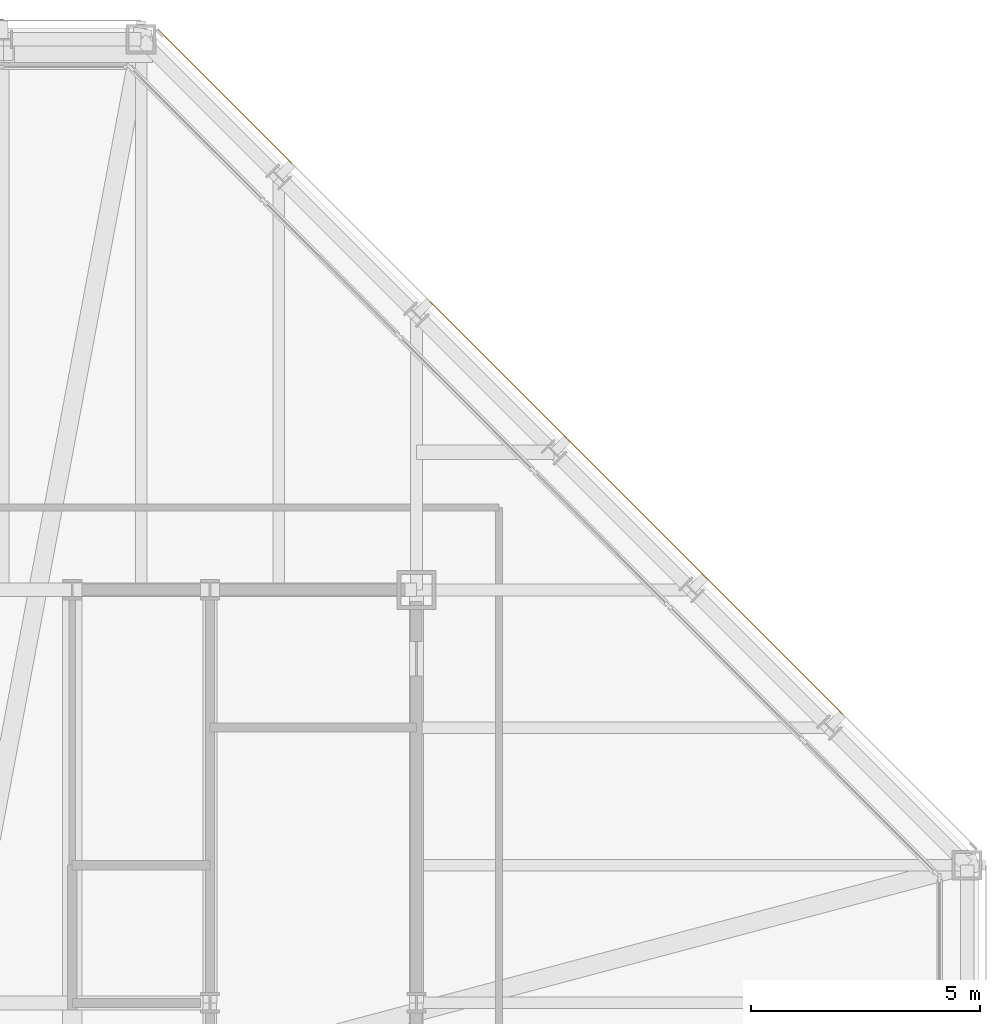
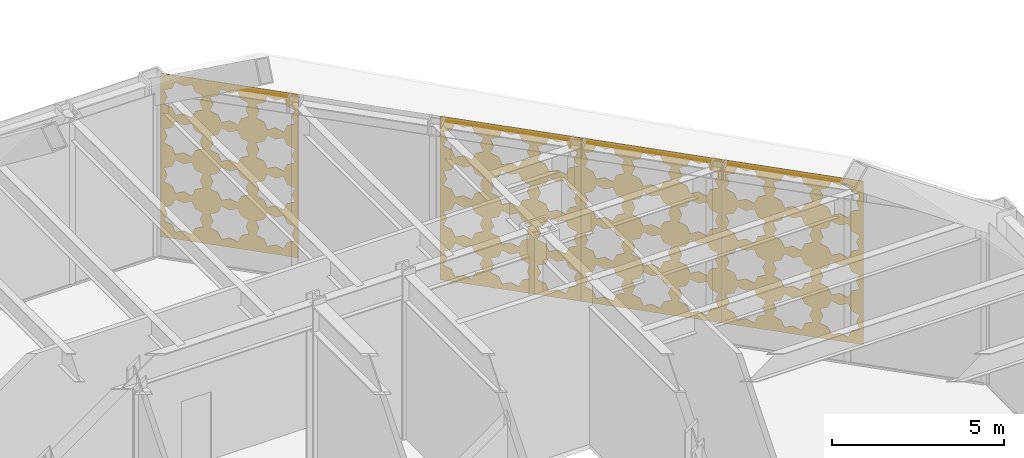
# One storey, part 29 of 30: 4 coverings.
"""IFC4 building model written with IfcOpenShell, lengths in metres."""

import ifcopenshell
import ifcopenshell.guid

model = None  # the IFC model being written
_history = None  # IfcOwnerHistory: only IFC2X3 demands one
_inside = {}  # id of a spatial element -> (the spatial element, [elements in it])
_under = {}  # id of a project, library or spatial element -> (it, [spatial elements below it])
_declared = {}  # id of a project -> (the project, [libraries it declares])
_typed = {}  # id of a type object -> (the type object, [elements of that type])
_made_of = {}  # id of a material, layer set ... -> (it, [elements and type objects made of it])


def new_model(schema):
    """Start an empty IFC model of exactly this schema.

    Asked for "IFC4X3", IfcOpenShell would pick the latest addendum, in which some entities
    have other attributes; the version numbers below select the first issue.
    IFC2X3 requires an IfcOwnerHistory on every rooted entity: one is made here for all.
    """
    global model, _history
    if schema == "IFC4X3":
        model = ifcopenshell.file(schema_version=(4, 3, 0, 0))
    else:
        model = ifcopenshell.file(schema=schema)
    _inside.clear()
    _under.clear()
    _declared.clear()
    _typed.clear()
    _made_of.clear()
    _history = None
    if model.schema == "IFC2X3":
        org = make("IfcOrganization", Name="unknown")
        user = make(
            "IfcPersonAndOrganization",
            ThePerson=make("IfcPerson", FamilyName="unknown"),
            TheOrganization=org,
        )
        app = make(
            "IfcApplication",
            ApplicationDeveloper=org,
            Version="unknown",
            ApplicationFullName="unknown",
            ApplicationIdentifier="unknown",
        )
        _history = make(
            "IfcOwnerHistory",
            OwningUser=user,
            OwningApplication=app,
            ChangeAction="ADDED",
            CreationDate=0,
        )
    return model


def make(cls, **values):
    """One entity of the class cls with the attributes given. An attribute that is None is left unset."""
    return model.create_entity(
        cls, **{name: value for name, value in values.items() if value is not None}
    )


def rooted(cls, **values):
    """An entity with a GlobalId (a new one), such as an element, a storey or a relation."""
    return make(cls, GlobalId=ifcopenshell.guid.new(), OwnerHistory=_history, **values)


def si_unit(unit_type, name, prefix=None):
    """IfcSIUnit, for example si_unit("LENGTHUNIT", "METRE", prefix="MILLI")."""
    return make("IfcSIUnit", UnitType=unit_type, Prefix=prefix, Name=name)


def assignment(units):
    """IfcUnitAssignment: the units of a project."""
    return None if units is None else make("IfcUnitAssignment", Units=units)


def point(xyz):
    """IfcCartesianPoint."""
    return None if xyz is None else make("IfcCartesianPoint", Coordinates=xyz)


def direction(xyz):
    """IfcDirection."""
    return None if xyz is None else make("IfcDirection", DirectionRatios=xyz)


def frame(location, z_axis=None, x_axis=None):
    """IfcAxis2Placement3D, a coordinate frame: its origin and axes. An axis left out is left unset."""
    return make(
        "IfcAxis2Placement3D",
        Location=point(location),
        Axis=direction(z_axis),
        RefDirection=direction(x_axis),
    )


def origin():
    """The frame at (0, 0, 0) with its axes left unset."""
    return frame((0.0, 0.0, 0.0))


def place(relative_to, where):
    """IfcLocalPlacement: puts the frame where relative to a parent placement (None: the world)."""
    return make(
        "IfcLocalPlacement", PlacementRelTo=relative_to, RelativePlacement=where
    )


def context(
    kind, dimensions, precision=None, world=None, true_north=None, identifier=None
):
    """IfcGeometricRepresentationContext, for example the 3D "Model" context."""
    return make(
        "IfcGeometricRepresentationContext",
        ContextIdentifier=identifier,
        ContextType=kind,
        CoordinateSpaceDimension=dimensions,
        Precision=precision,
        WorldCoordinateSystem=world,
        TrueNorth=true_north,
    )


def subcontext(parent, identifier, kind, view, scale=None):
    """IfcGeometricRepresentationSubContext, for example "Body" below "Model"."""
    return make(
        "IfcGeometricRepresentationSubContext",
        ContextIdentifier=identifier,
        ContextType=kind,
        ParentContext=parent,
        TargetScale=scale,
        TargetView=view,
    )


def project(units=None, contexts=None):
    """IfcProject with its units and contexts."""
    return rooted(
        "IfcProject",
        Name="project",
        RepresentationContexts=contexts,
        UnitsInContext=assignment(units),
    )


def spatial(cls, under=None, at=None, **own):
    """A site, building, storey or space (cls), placed at a placement, below another one or the project."""
    s = rooted(cls, ObjectPlacement=at, **own)
    if under is not None:
        _under.setdefault(under.id(), (under, []))[1].append(s)
    return s


def polyline(points):
    """IfcPolyline through the points."""
    return make("IfcPolyline", Points=[point(p) for p in points])


def outline(outer, holes=None, kind="AREA"):
    """IfcArbitraryClosedProfileDef: a profile drawn as a closed curve; with holes, ...WithVoids."""
    if holes is None:
        return make("IfcArbitraryClosedProfileDef", ProfileType=kind, OuterCurve=outer)
    return make(
        "IfcArbitraryProfileDefWithVoids",
        ProfileType=kind,
        OuterCurve=outer,
        InnerCurves=holes,
    )


def extrude(swept, where, along, depth):
    """IfcExtrudedAreaSolid: the profile swept, set in the frame where, extruded along a direction by depth."""
    return make(
        "IfcExtrudedAreaSolid",
        SweptArea=swept,
        Position=where,
        ExtrudedDirection=direction(along),
        Depth=depth,
    )


def shape(context_of_items, identifier, shape_type, items):
    """IfcShapeRepresentation: the items that make up one representation, for example the "Body"."""
    return make(
        "IfcShapeRepresentation",
        ContextOfItems=context_of_items,
        RepresentationIdentifier=identifier,
        RepresentationType=shape_type,
        Items=items,
    )


def material(Name=None, Category=None):
    """IfcMaterial."""
    return make("IfcMaterial", Name=Name, Category=Category)


def layer(
    of_material, thickness, ventilated=None, Name=None, Category=None, Priority=None
):
    """IfcMaterialLayer: one layer of a wall or slab, of a material (None: an air gap)."""
    return make(
        "IfcMaterialLayer",
        Material=of_material,
        LayerThickness=thickness,
        IsVentilated=ventilated,
        Name=Name,
        Category=Category,
        Priority=Priority,
    )


def layer_set(layers, Name=None):
    """IfcMaterialLayerSet."""
    return make("IfcMaterialLayerSet", MaterialLayers=layers, LayerSetName=Name)


def made_of(thing, what):
    """Note that an element or type object is made of a material, layer set ...; save() writes the relation."""
    if what is not None:
        _made_of.setdefault(what.id(), (what, []))[1].append(thing)
    return thing


def type_object(cls, material=None, **own):
    """A type object (cls), such as IfcWallType, which elements share."""
    return made_of(rooted(cls, **own), material)


def element(
    cls,
    number,
    at=None,
    inside=None,
    cuts=None,
    type_object=None,
    material=None,
    context=None,
    identifier="Body",
    shape_type=None,
    held_by="IfcProductDefinitionShape",
    body=None,
    shapes=None,
    **own,
):
    """One element of the class cls, such as IfcWall. Its Tag is "e" and its number.

    at: its placement. inside: the storey or other place that contains it. cuts: it is an
    opening in that element (IfcRelVoidsElement). A single representation is given by context,
    identifier, shape_type and body (its items); several are given by shapes. held_by: the class
    of the entity that holds the representations. save() writes the other relations.
    """
    e = rooted(cls, Tag="e%d" % number, ObjectPlacement=at, **own)
    if body is not None:
        shapes = [shape(context, identifier, shape_type, body)]
    if shapes is not None:
        e.Representation = make(held_by, Representations=shapes)
    if inside is not None:
        _inside.setdefault(inside.id(), (inside, []))[1].append(e)
    if cuts is not None:
        rooted(
            "IfcRelVoidsElement", RelatingBuildingElement=cuts, RelatedOpeningElement=e
        )
    if type_object is not None:
        _typed.setdefault(type_object.id(), (type_object, []))[1].append(e)
    return made_of(e, material)


def aggregate(whole, parts):
    """IfcRelAggregates: a whole, such as a stair, and the parts it consists of."""
    return rooted("IfcRelAggregates", RelatingObject=whole, RelatedObjects=parts)


def save(model, path):
    """Write the relations noted so far, then the file.

    IfcRelAggregates (storeys below a building ...), IfcRelContainedInSpatialStructure (elements
    in a storey), IfcRelDefinesByType, IfcRelAssociatesMaterial and IfcRelDeclares: one each for
    every whole, place, type object, material and project.
    """
    for whole, parts in _under.values():
        aggregate(whole, parts)
    for where, things in _inside.values():
        rooted(
            "IfcRelContainedInSpatialStructure",
            RelatedElements=things,
            RelatingStructure=where,
        )
    for kind, things in _typed.values():
        rooted("IfcRelDefinesByType", RelatedObjects=things, RelatingType=kind)
    for what, things in _made_of.values():
        rooted("IfcRelAssociatesMaterial", RelatedObjects=things, RelatingMaterial=what)
    for by, libraries in _declared.values():
        rooted("IfcRelDeclares", RelatingContext=by, RelatedDefinitions=libraries)
    model.write(path)


model = new_model("IFC4")

# Units and contexts
model_context = context("Model", 3, precision=1e-05, world=origin(), true_north=direction((0.0, 1.0)))
body_context = subcontext(model_context, "Body", "Model", "MODEL_VIEW")
ifc_project = project(units=[si_unit("LENGTHUNIT", "METRE"), si_unit("AREAUNIT", "SQUARE_METRE"), si_unit("VOLUMEUNIT", "CUBIC_METRE"), si_unit("PLANEANGLEUNIT", "RADIAN"), si_unit("MASSUNIT", "GRAM", prefix="KILO")], contexts=[model_context])

# Site, building, storey
site_placement = place(None, origin())
site = spatial("IfcSite", under=ifc_project, at=site_placement, CompositionType="ELEMENT")
building_placement = place(site_placement, origin())
building = spatial("IfcBuilding", under=site, at=building_placement, Name="Chuquiago Exchange Tower", CompositionType="ELEMENT")
storey_placement = place(building_placement, frame((0.0, 0.0, 306.0)))
storey = spatial("IfcBuildingStorey", under=building, at=storey_placement, Name="L68", CompositionType="ELEMENT", Elevation=306.0)

# Coverings
ifc_material_1 = material(Name="Anodised aluminium, pale", Category="aluminium")
ifc_layer_1 = layer(ifc_material_1, 0.02001953125)
ifc_layer_set_1 = layer_set([ifc_layer_1], Name="GC4 girih cladding panel 20")
covering_type_1 = type_object("IfcCoveringType", Name="GC4 girih cladding panel 20", PredefinedType="CLADDING", material=ifc_layer_set_1)
covering_1_placement = place(storey_placement, frame((42.279296875, 30.286376953125, 0.0048828125), z_axis=(0.0, 0.0, 1.0), x_axis=(-0.707106781187, 0.707106781187, 0.0)))
element("IfcCovering", 1, at=covering_1_placement, inside=storey, type_object=covering_type_1, Name="Girih cladding panel L68 NE 2", PredefinedType="CLADDING", context=body_context, shape_type="SweptSolid", body=[
    extrude(outline(polyline([(0.0, 0.0), (4.232666015625, 0.0), (4.232666015625, 5.795166015625), (0.0, 5.795166015625), (0.0, 0.0)]), holes=[polyline([(1.2021484375, 0.78125), (1.304931640625, 1.029541015625), (1.056640625, 1.132568359375), (0.953857421875, 1.380859375), (0.70556640625, 1.278076171875), (0.45703125, 1.380859375), (0.354248046875, 1.132568359375), (0.10595703125, 1.029541015625), (0.208740234375, 0.78125), (0.10595703125, 0.532958984375), (0.354248046875, 0.429931640625), (0.45703125, 0.181640625), (0.705322265625, 0.284423828125), (0.953857421875, 0.181640625), (1.056640625, 0.429931640625), (1.304931640625, 0.532958984375), (1.2021484375, 0.78125)]), polyline([(2.613037109375, 0.78125), (2.7158203125, 1.029541015625), (2.467529296875, 1.132568359375), (2.36474609375, 1.380859375), (2.116455078125, 1.278076171875), (1.867919921875, 1.380859375), (1.76513671875, 1.132568359375), (1.516845703125, 1.029541015625), (1.61962890625, 0.78125), (1.516845703125, 0.532958984375), (1.76513671875, 0.429931640625), (1.867919921875, 0.181640625), (2.116455078125, 0.284423828125), (2.36474609375, 0.181640625), (2.467529296875, 0.429931640625), (2.7158203125, 0.532958984375), (2.613037109375, 0.78125)]), polyline([(4.02392578125, 0.78125), (4.126708984375, 1.029541015625), (3.87841796875, 1.132568359375), (3.775634765625, 1.380859375), (3.527099609375, 1.278076171875), (3.27880859375, 1.380859375), (3.176025390625, 1.132568359375), (2.927734375, 1.029541015625), (3.030517578125, 0.78125), (2.927734375, 0.532958984375), (3.176025390625, 0.429931640625), (3.27880859375, 0.181640625), (3.527099609375, 0.284423828125), (3.775634765625, 0.181640625), (3.87841796875, 0.429931640625), (4.126708984375, 0.532958984375), (4.02392578125, 0.78125)]), polyline([(1.2021484375, 2.192138671875), (1.304931640625, 2.4404296875), (1.056640625, 2.54345703125), (0.953857421875, 2.791748046875), (0.70556640625, 2.68896484375), (0.45703125, 2.791748046875), (0.354248046875, 2.54345703125), (0.10595703125, 2.4404296875), (0.208740234375, 2.192138671875), (0.10595703125, 1.94384765625), (0.354248046875, 1.8408203125), (0.45703125, 1.592529296875), (0.705322265625, 1.6953125), (0.953857421875, 1.592529296875), (1.056640625, 1.8408203125), (1.304931640625, 1.94384765625), (1.2021484375, 2.192138671875)]), polyline([(2.613037109375, 2.192138671875), (2.7158203125, 2.4404296875), (2.467529296875, 2.54345703125), (2.36474609375, 2.791748046875), (2.116455078125, 2.68896484375), (1.867919921875, 2.791748046875), (1.76513671875, 2.54345703125), (1.516845703125, 2.4404296875), (1.61962890625, 2.192138671875), (1.516845703125, 1.94384765625), (1.76513671875, 1.8408203125), (1.867919921875, 1.592529296875), (2.116455078125, 1.6953125), (2.36474609375, 1.592529296875), (2.467529296875, 1.8408203125), (2.7158203125, 1.94384765625), (2.613037109375, 2.192138671875)]), polyline([(4.02392578125, 2.192138671875), (4.126708984375, 2.4404296875), (3.87841796875, 2.54345703125), (3.775634765625, 2.791748046875), (3.527099609375, 2.68896484375), (3.27880859375, 2.791748046875), (3.176025390625, 2.54345703125), (2.927734375, 2.4404296875), (3.030517578125, 2.192138671875), (2.927734375, 1.94384765625), (3.176025390625, 1.8408203125), (3.27880859375, 1.592529296875), (3.527099609375, 1.6953125), (3.775634765625, 1.592529296875), (3.87841796875, 1.8408203125), (4.126708984375, 1.94384765625), (4.02392578125, 2.192138671875)]), polyline([(1.2021484375, 3.60302734375), (1.304931640625, 3.851318359375), (1.056640625, 3.954345703125), (0.953857421875, 4.20263671875), (0.70556640625, 4.099853515625), (0.45703125, 4.20263671875), (0.354248046875, 3.954345703125), (0.10595703125, 3.851318359375), (0.208740234375, 3.60302734375), (0.10595703125, 3.354736328125), (0.354248046875, 3.251708984375), (0.45703125, 3.00341796875), (0.705322265625, 3.106201171875), (0.953857421875, 3.00341796875), (1.056640625, 3.251708984375), (1.304931640625, 3.354736328125), (1.2021484375, 3.60302734375)]), polyline([(2.613037109375, 3.60302734375), (2.7158203125, 3.851318359375), (2.467529296875, 3.954345703125), (2.36474609375, 4.20263671875), (2.116455078125, 4.099853515625), (1.867919921875, 4.20263671875), (1.76513671875, 3.954345703125), (1.516845703125, 3.851318359375), (1.61962890625, 3.60302734375), (1.516845703125, 3.354736328125), (1.76513671875, 3.251708984375), (1.867919921875, 3.00341796875), (2.116455078125, 3.106201171875), (2.36474609375, 3.00341796875), (2.467529296875, 3.251708984375), (2.7158203125, 3.354736328125), (2.613037109375, 3.60302734375)]), polyline([(4.02392578125, 3.60302734375), (4.126708984375, 3.851318359375), (3.87841796875, 3.954345703125), (3.775634765625, 4.20263671875), (3.527099609375, 4.099853515625), (3.27880859375, 4.20263671875), (3.176025390625, 3.954345703125), (2.927734375, 3.851318359375), (3.030517578125, 3.60302734375), (2.927734375, 3.354736328125), (3.176025390625, 3.251708984375), (3.27880859375, 3.00341796875), (3.527099609375, 3.106201171875), (3.775634765625, 3.00341796875), (3.87841796875, 3.251708984375), (4.126708984375, 3.354736328125), (4.02392578125, 3.60302734375)]), polyline([(1.2021484375, 5.013916015625), (1.304931640625, 5.26220703125), (1.056640625, 5.365234375), (0.953857421875, 5.613525390625), (0.70556640625, 5.5107421875), (0.45703125, 5.613525390625), (0.354248046875, 5.365234375), (0.10595703125, 5.26220703125), (0.208740234375, 5.013916015625), (0.10595703125, 4.765625), (0.354248046875, 4.66259765625), (0.45703125, 4.414306640625), (0.705322265625, 4.517333984375), (0.953857421875, 4.414306640625), (1.056640625, 4.66259765625), (1.304931640625, 4.765625), (1.2021484375, 5.013916015625)]), polyline([(2.613037109375, 5.013916015625), (2.7158203125, 5.26220703125), (2.467529296875, 5.365234375), (2.36474609375, 5.613525390625), (2.116455078125, 5.5107421875), (1.867919921875, 5.613525390625), (1.76513671875, 5.365234375), (1.516845703125, 5.26220703125), (1.61962890625, 5.013916015625), (1.516845703125, 4.765625), (1.76513671875, 4.66259765625), (1.867919921875, 4.414306640625), (2.116455078125, 4.517333984375), (2.36474609375, 4.414306640625), (2.467529296875, 4.66259765625), (2.7158203125, 4.765625), (2.613037109375, 5.013916015625)]), polyline([(4.02392578125, 5.013916015625), (4.126708984375, 5.26220703125), (3.87841796875, 5.365234375), (3.775634765625, 5.613525390625), (3.527099609375, 5.5107421875), (3.27880859375, 5.613525390625), (3.176025390625, 5.365234375), (2.927734375, 5.26220703125), (3.030517578125, 5.013916015625), (2.927734375, 4.765625), (3.176025390625, 4.66259765625), (3.27880859375, 4.414306640625), (3.527099609375, 4.517333984375), (3.775634765625, 4.414306640625), (3.87841796875, 4.66259765625), (4.126708984375, 4.765625), (4.02392578125, 5.013916015625)])]), frame((0.0, 0.0, 0.0), z_axis=(0.0, -1.0, 0.0), x_axis=(1.0, 0.0, 0.0)), (0.0, 0.0, 1.0), 0.02001953125),
])
covering_2_placement = place(storey_placement, frame((39.279296875, 33.286376953125, 0.0048828125), z_axis=(0.0, 0.0, 1.0), x_axis=(-0.707106781187, 0.707106781187, 0.0)))
element("IfcCovering", 2, at=covering_2_placement, inside=storey, type_object=covering_type_1, Name="Girih cladding panel L68 NE 3", PredefinedType="CLADDING", context=body_context, shape_type="SweptSolid", body=[
    extrude(outline(polyline([(0.0, 0.0), (4.232666015625, 0.0), (4.232666015625, 5.795166015625), (0.0, 5.795166015625), (0.0, 0.0)]), holes=[polyline([(1.2021484375, 0.78125), (1.304931640625, 1.029541015625), (1.056640625, 1.132568359375), (0.953857421875, 1.380859375), (0.70556640625, 1.278076171875), (0.45703125, 1.380859375), (0.354248046875, 1.132568359375), (0.10595703125, 1.029541015625), (0.208740234375, 0.78125), (0.10595703125, 0.532958984375), (0.354248046875, 0.429931640625), (0.45703125, 0.181640625), (0.705322265625, 0.284423828125), (0.953857421875, 0.181640625), (1.056640625, 0.429931640625), (1.304931640625, 0.532958984375), (1.2021484375, 0.78125)]), polyline([(2.613037109375, 0.78125), (2.7158203125, 1.029541015625), (2.467529296875, 1.132568359375), (2.36474609375, 1.380859375), (2.116455078125, 1.278076171875), (1.867919921875, 1.380859375), (1.76513671875, 1.132568359375), (1.516845703125, 1.029541015625), (1.61962890625, 0.78125), (1.516845703125, 0.532958984375), (1.76513671875, 0.429931640625), (1.867919921875, 0.181640625), (2.116455078125, 0.284423828125), (2.36474609375, 0.181640625), (2.467529296875, 0.429931640625), (2.7158203125, 0.532958984375), (2.613037109375, 0.78125)]), polyline([(4.02392578125, 0.78125), (4.126708984375, 1.029541015625), (3.87841796875, 1.132568359375), (3.775634765625, 1.380859375), (3.527099609375, 1.278076171875), (3.27880859375, 1.380859375), (3.176025390625, 1.132568359375), (2.927734375, 1.029541015625), (3.030517578125, 0.78125), (2.927734375, 0.532958984375), (3.176025390625, 0.429931640625), (3.27880859375, 0.181640625), (3.527099609375, 0.284423828125), (3.775634765625, 0.181640625), (3.87841796875, 0.429931640625), (4.126708984375, 0.532958984375), (4.02392578125, 0.78125)]), polyline([(1.2021484375, 2.192138671875), (1.304931640625, 2.4404296875), (1.056640625, 2.54345703125), (0.953857421875, 2.791748046875), (0.70556640625, 2.68896484375), (0.45703125, 2.791748046875), (0.354248046875, 2.54345703125), (0.10595703125, 2.4404296875), (0.208740234375, 2.192138671875), (0.10595703125, 1.94384765625), (0.354248046875, 1.8408203125), (0.45703125, 1.592529296875), (0.705322265625, 1.6953125), (0.953857421875, 1.592529296875), (1.056640625, 1.8408203125), (1.304931640625, 1.94384765625), (1.2021484375, 2.192138671875)]), polyline([(2.613037109375, 2.192138671875), (2.7158203125, 2.4404296875), (2.467529296875, 2.54345703125), (2.36474609375, 2.791748046875), (2.116455078125, 2.68896484375), (1.867919921875, 2.791748046875), (1.76513671875, 2.54345703125), (1.516845703125, 2.4404296875), (1.61962890625, 2.192138671875), (1.516845703125, 1.94384765625), (1.76513671875, 1.8408203125), (1.867919921875, 1.592529296875), (2.116455078125, 1.6953125), (2.36474609375, 1.592529296875), (2.467529296875, 1.8408203125), (2.7158203125, 1.94384765625), (2.613037109375, 2.192138671875)]), polyline([(4.02392578125, 2.192138671875), (4.126708984375, 2.4404296875), (3.87841796875, 2.54345703125), (3.775634765625, 2.791748046875), (3.527099609375, 2.68896484375), (3.27880859375, 2.791748046875), (3.176025390625, 2.54345703125), (2.927734375, 2.4404296875), (3.030517578125, 2.192138671875), (2.927734375, 1.94384765625), (3.176025390625, 1.8408203125), (3.27880859375, 1.592529296875), (3.527099609375, 1.6953125), (3.775634765625, 1.592529296875), (3.87841796875, 1.8408203125), (4.126708984375, 1.94384765625), (4.02392578125, 2.192138671875)]), polyline([(1.2021484375, 3.60302734375), (1.304931640625, 3.851318359375), (1.056640625, 3.954345703125), (0.953857421875, 4.20263671875), (0.70556640625, 4.099853515625), (0.45703125, 4.20263671875), (0.354248046875, 3.954345703125), (0.10595703125, 3.851318359375), (0.208740234375, 3.60302734375), (0.10595703125, 3.354736328125), (0.354248046875, 3.251708984375), (0.45703125, 3.00341796875), (0.705322265625, 3.106201171875), (0.953857421875, 3.00341796875), (1.056640625, 3.251708984375), (1.304931640625, 3.354736328125), (1.2021484375, 3.60302734375)]), polyline([(2.613037109375, 3.60302734375), (2.7158203125, 3.851318359375), (2.467529296875, 3.954345703125), (2.36474609375, 4.20263671875), (2.116455078125, 4.099853515625), (1.867919921875, 4.20263671875), (1.76513671875, 3.954345703125), (1.516845703125, 3.851318359375), (1.61962890625, 3.60302734375), (1.516845703125, 3.354736328125), (1.76513671875, 3.251708984375), (1.867919921875, 3.00341796875), (2.116455078125, 3.106201171875), (2.36474609375, 3.00341796875), (2.467529296875, 3.251708984375), (2.7158203125, 3.354736328125), (2.613037109375, 3.60302734375)]), polyline([(4.02392578125, 3.60302734375), (4.126708984375, 3.851318359375), (3.87841796875, 3.954345703125), (3.775634765625, 4.20263671875), (3.527099609375, 4.099853515625), (3.27880859375, 4.20263671875), (3.176025390625, 3.954345703125), (2.927734375, 3.851318359375), (3.030517578125, 3.60302734375), (2.927734375, 3.354736328125), (3.176025390625, 3.251708984375), (3.27880859375, 3.00341796875), (3.527099609375, 3.106201171875), (3.775634765625, 3.00341796875), (3.87841796875, 3.251708984375), (4.126708984375, 3.354736328125), (4.02392578125, 3.60302734375)]), polyline([(1.2021484375, 5.013916015625), (1.304931640625, 5.26220703125), (1.056640625, 5.365234375), (0.953857421875, 5.613525390625), (0.70556640625, 5.5107421875), (0.45703125, 5.613525390625), (0.354248046875, 5.365234375), (0.10595703125, 5.26220703125), (0.208740234375, 5.013916015625), (0.10595703125, 4.765625), (0.354248046875, 4.66259765625), (0.45703125, 4.414306640625), (0.705322265625, 4.517333984375), (0.953857421875, 4.414306640625), (1.056640625, 4.66259765625), (1.304931640625, 4.765625), (1.2021484375, 5.013916015625)]), polyline([(2.613037109375, 5.013916015625), (2.7158203125, 5.26220703125), (2.467529296875, 5.365234375), (2.36474609375, 5.613525390625), (2.116455078125, 5.5107421875), (1.867919921875, 5.613525390625), (1.76513671875, 5.365234375), (1.516845703125, 5.26220703125), (1.61962890625, 5.013916015625), (1.516845703125, 4.765625), (1.76513671875, 4.66259765625), (1.867919921875, 4.414306640625), (2.116455078125, 4.517333984375), (2.36474609375, 4.414306640625), (2.467529296875, 4.66259765625), (2.7158203125, 4.765625), (2.613037109375, 5.013916015625)]), polyline([(4.02392578125, 5.013916015625), (4.126708984375, 5.26220703125), (3.87841796875, 5.365234375), (3.775634765625, 5.613525390625), (3.527099609375, 5.5107421875), (3.27880859375, 5.613525390625), (3.176025390625, 5.365234375), (2.927734375, 5.26220703125), (3.030517578125, 5.013916015625), (2.927734375, 4.765625), (3.176025390625, 4.66259765625), (3.27880859375, 4.414306640625), (3.527099609375, 4.517333984375), (3.775634765625, 4.414306640625), (3.87841796875, 4.66259765625), (4.126708984375, 4.765625), (4.02392578125, 5.013916015625)])]), frame((0.0, 0.0, 0.0), z_axis=(0.0, -1.0, 0.0), x_axis=(1.0, 0.0, 0.0)), (0.0, 0.0, 1.0), 0.02001953125),
])
covering_3_placement = place(storey_placement, frame((36.279296875, 36.286376953125, 0.0048828125), z_axis=(0.0, 0.0, 1.0), x_axis=(-0.707106781187, 0.707106781187, 0.0)))
element("IfcCovering", 3, at=covering_3_placement, inside=storey, type_object=covering_type_1, Name="Girih cladding panel L68 NE 4", PredefinedType="CLADDING", context=body_context, shape_type="SweptSolid", body=[
    extrude(outline(polyline([(0.0, 0.0), (4.232666015625, 0.0), (4.232666015625, 5.795166015625), (0.0, 5.795166015625), (0.0, 0.0)]), holes=[polyline([(1.2021484375, 0.78125), (1.304931640625, 1.029541015625), (1.056640625, 1.132568359375), (0.953857421875, 1.380859375), (0.70556640625, 1.278076171875), (0.45703125, 1.380859375), (0.354248046875, 1.132568359375), (0.10595703125, 1.029541015625), (0.208740234375, 0.78125), (0.10595703125, 0.532958984375), (0.354248046875, 0.429931640625), (0.45703125, 0.181640625), (0.705322265625, 0.284423828125), (0.953857421875, 0.181640625), (1.056640625, 0.429931640625), (1.304931640625, 0.532958984375), (1.2021484375, 0.78125)]), polyline([(2.613037109375, 0.78125), (2.7158203125, 1.029541015625), (2.467529296875, 1.132568359375), (2.36474609375, 1.380859375), (2.116455078125, 1.278076171875), (1.867919921875, 1.380859375), (1.76513671875, 1.132568359375), (1.516845703125, 1.029541015625), (1.61962890625, 0.78125), (1.516845703125, 0.532958984375), (1.76513671875, 0.429931640625), (1.867919921875, 0.181640625), (2.116455078125, 0.284423828125), (2.36474609375, 0.181640625), (2.467529296875, 0.429931640625), (2.7158203125, 0.532958984375), (2.613037109375, 0.78125)]), polyline([(4.02392578125, 0.78125), (4.126708984375, 1.029541015625), (3.87841796875, 1.132568359375), (3.775634765625, 1.380859375), (3.527099609375, 1.278076171875), (3.27880859375, 1.380859375), (3.176025390625, 1.132568359375), (2.927734375, 1.029541015625), (3.030517578125, 0.78125), (2.927734375, 0.532958984375), (3.176025390625, 0.429931640625), (3.27880859375, 0.181640625), (3.527099609375, 0.284423828125), (3.775634765625, 0.181640625), (3.87841796875, 0.429931640625), (4.126708984375, 0.532958984375), (4.02392578125, 0.78125)]), polyline([(1.2021484375, 2.192138671875), (1.304931640625, 2.4404296875), (1.056640625, 2.54345703125), (0.953857421875, 2.791748046875), (0.70556640625, 2.68896484375), (0.45703125, 2.791748046875), (0.354248046875, 2.54345703125), (0.10595703125, 2.4404296875), (0.208740234375, 2.192138671875), (0.10595703125, 1.94384765625), (0.354248046875, 1.8408203125), (0.45703125, 1.592529296875), (0.705322265625, 1.6953125), (0.953857421875, 1.592529296875), (1.056640625, 1.8408203125), (1.304931640625, 1.94384765625), (1.2021484375, 2.192138671875)]), polyline([(2.613037109375, 2.192138671875), (2.7158203125, 2.4404296875), (2.467529296875, 2.54345703125), (2.36474609375, 2.791748046875), (2.116455078125, 2.68896484375), (1.867919921875, 2.791748046875), (1.76513671875, 2.54345703125), (1.516845703125, 2.4404296875), (1.61962890625, 2.192138671875), (1.516845703125, 1.94384765625), (1.76513671875, 1.8408203125), (1.867919921875, 1.592529296875), (2.116455078125, 1.6953125), (2.36474609375, 1.592529296875), (2.467529296875, 1.8408203125), (2.7158203125, 1.94384765625), (2.613037109375, 2.192138671875)]), polyline([(4.02392578125, 2.192138671875), (4.126708984375, 2.4404296875), (3.87841796875, 2.54345703125), (3.775634765625, 2.791748046875), (3.527099609375, 2.68896484375), (3.27880859375, 2.791748046875), (3.176025390625, 2.54345703125), (2.927734375, 2.4404296875), (3.030517578125, 2.192138671875), (2.927734375, 1.94384765625), (3.176025390625, 1.8408203125), (3.27880859375, 1.592529296875), (3.527099609375, 1.6953125), (3.775634765625, 1.592529296875), (3.87841796875, 1.8408203125), (4.126708984375, 1.94384765625), (4.02392578125, 2.192138671875)]), polyline([(1.2021484375, 3.60302734375), (1.304931640625, 3.851318359375), (1.056640625, 3.954345703125), (0.953857421875, 4.20263671875), (0.70556640625, 4.099853515625), (0.45703125, 4.20263671875), (0.354248046875, 3.954345703125), (0.10595703125, 3.851318359375), (0.208740234375, 3.60302734375), (0.10595703125, 3.354736328125), (0.354248046875, 3.251708984375), (0.45703125, 3.00341796875), (0.705322265625, 3.106201171875), (0.953857421875, 3.00341796875), (1.056640625, 3.251708984375), (1.304931640625, 3.354736328125), (1.2021484375, 3.60302734375)]), polyline([(2.613037109375, 3.60302734375), (2.7158203125, 3.851318359375), (2.467529296875, 3.954345703125), (2.36474609375, 4.20263671875), (2.116455078125, 4.099853515625), (1.867919921875, 4.20263671875), (1.76513671875, 3.954345703125), (1.516845703125, 3.851318359375), (1.61962890625, 3.60302734375), (1.516845703125, 3.354736328125), (1.76513671875, 3.251708984375), (1.867919921875, 3.00341796875), (2.116455078125, 3.106201171875), (2.36474609375, 3.00341796875), (2.467529296875, 3.251708984375), (2.7158203125, 3.354736328125), (2.613037109375, 3.60302734375)]), polyline([(4.02392578125, 3.60302734375), (4.126708984375, 3.851318359375), (3.87841796875, 3.954345703125), (3.775634765625, 4.20263671875), (3.527099609375, 4.099853515625), (3.27880859375, 4.20263671875), (3.176025390625, 3.954345703125), (2.927734375, 3.851318359375), (3.030517578125, 3.60302734375), (2.927734375, 3.354736328125), (3.176025390625, 3.251708984375), (3.27880859375, 3.00341796875), (3.527099609375, 3.106201171875), (3.775634765625, 3.00341796875), (3.87841796875, 3.251708984375), (4.126708984375, 3.354736328125), (4.02392578125, 3.60302734375)]), polyline([(1.2021484375, 5.013916015625), (1.304931640625, 5.26220703125), (1.056640625, 5.365234375), (0.953857421875, 5.613525390625), (0.70556640625, 5.5107421875), (0.45703125, 5.613525390625), (0.354248046875, 5.365234375), (0.10595703125, 5.26220703125), (0.208740234375, 5.013916015625), (0.10595703125, 4.765625), (0.354248046875, 4.66259765625), (0.45703125, 4.414306640625), (0.705322265625, 4.517333984375), (0.953857421875, 4.414306640625), (1.056640625, 4.66259765625), (1.304931640625, 4.765625), (1.2021484375, 5.013916015625)]), polyline([(2.613037109375, 5.013916015625), (2.7158203125, 5.26220703125), (2.467529296875, 5.365234375), (2.36474609375, 5.613525390625), (2.116455078125, 5.5107421875), (1.867919921875, 5.613525390625), (1.76513671875, 5.365234375), (1.516845703125, 5.26220703125), (1.61962890625, 5.013916015625), (1.516845703125, 4.765625), (1.76513671875, 4.66259765625), (1.867919921875, 4.414306640625), (2.116455078125, 4.517333984375), (2.36474609375, 4.414306640625), (2.467529296875, 4.66259765625), (2.7158203125, 4.765625), (2.613037109375, 5.013916015625)]), polyline([(4.02392578125, 5.013916015625), (4.126708984375, 5.26220703125), (3.87841796875, 5.365234375), (3.775634765625, 5.613525390625), (3.527099609375, 5.5107421875), (3.27880859375, 5.613525390625), (3.176025390625, 5.365234375), (2.927734375, 5.26220703125), (3.030517578125, 5.013916015625), (2.927734375, 4.765625), (3.176025390625, 4.66259765625), (3.27880859375, 4.414306640625), (3.527099609375, 4.517333984375), (3.775634765625, 4.414306640625), (3.87841796875, 4.66259765625), (4.126708984375, 4.765625), (4.02392578125, 5.013916015625)])]), frame((0.0, 0.0, 0.0), z_axis=(0.0, -1.0, 0.0), x_axis=(1.0, 0.0, 0.0)), (0.0, 0.0, 1.0), 0.02001953125),
])
ifc_material_2 = material(Name="Anodised aluminium, pale", Category="aluminium")
ifc_layer_2 = layer(ifc_material_2, 0.02001953125)
ifc_layer_set_2 = layer_set([ifc_layer_2], Name="GC7 girih cladding panel 20")
covering_type_2 = type_object("IfcCoveringType", Name="GC7 girih cladding panel 20", PredefinedType="CLADDING", material=ifc_layer_set_2)
covering_4_placement = place(storey_placement, frame((30.279296875, 42.286376953125, 0.0048828125), z_axis=(0.0, 0.0, 1.0), x_axis=(-0.707106781187, 0.707106781187, 0.0)))
element("IfcCovering", 4, at=covering_4_placement, inside=storey, type_object=covering_type_2, Name="Girih cladding panel L68 NE 6", PredefinedType="CLADDING", context=body_context, shape_type="SweptSolid", body=[
    extrude(outline(polyline([(0.0, 0.0), (4.142578125, 0.0), (4.142578125, 5.795166015625), (0.0, 5.795166015625), (0.0, 0.0)]), holes=[polyline([(1.176513671875, 0.826416015625), (1.27734375, 1.0693359375), (1.0341796875, 1.169921875), (0.93359375, 1.4130859375), (0.6904296875, 1.3125), (0.447509765625, 1.4130859375), (0.3466796875, 1.169921875), (0.103515625, 1.0693359375), (0.204345703125, 0.826416015625), (0.103515625, 0.583251953125), (0.3466796875, 0.482421875), (0.447509765625, 0.239501953125), (0.6904296875, 0.340087890625), (0.93359375, 0.239501953125), (1.0341796875, 0.482421875), (1.27734375, 0.583251953125), (1.176513671875, 0.826416015625)]), polyline([(2.5576171875, 0.826416015625), (2.658203125, 1.0693359375), (2.4150390625, 1.169921875), (2.314453125, 1.4130859375), (2.0712890625, 1.3125), (1.828369140625, 1.4130859375), (1.7275390625, 1.169921875), (1.484619140625, 1.0693359375), (1.585205078125, 0.826416015625), (1.484619140625, 0.583251953125), (1.7275390625, 0.482421875), (1.828369140625, 0.239501953125), (2.0712890625, 0.340087890625), (2.314453125, 0.239501953125), (2.4150390625, 0.482421875), (2.658203125, 0.583251953125), (2.5576171875, 0.826416015625)]), polyline([(3.9384765625, 0.826416015625), (4.0390625, 1.0693359375), (3.7958984375, 1.169921875), (3.6953125, 1.4130859375), (3.452392578125, 1.3125), (3.209228515625, 1.4130859375), (3.1083984375, 1.169921875), (2.865478515625, 1.0693359375), (2.966064453125, 0.826416015625), (2.865478515625, 0.583251953125), (3.1083984375, 0.482421875), (3.209228515625, 0.239501953125), (3.452392578125, 0.340087890625), (3.6953125, 0.239501953125), (3.7958984375, 0.482421875), (4.0390625, 0.583251953125), (3.9384765625, 0.826416015625)]), polyline([(1.176513671875, 2.207275390625), (1.27734375, 2.4501953125), (1.0341796875, 2.551025390625), (0.93359375, 2.7939453125), (0.6904296875, 2.693359375), (0.447509765625, 2.7939453125), (0.3466796875, 2.551025390625), (0.103515625, 2.4501953125), (0.204345703125, 2.207275390625), (0.103515625, 1.964111328125), (0.3466796875, 1.863525390625), (0.447509765625, 1.620361328125), (0.6904296875, 1.720947265625), (0.93359375, 1.620361328125), (1.0341796875, 1.863525390625), (1.27734375, 1.964111328125), (1.176513671875, 2.207275390625)]), polyline([(2.5576171875, 2.207275390625), (2.658203125, 2.4501953125), (2.4150390625, 2.551025390625), (2.314453125, 2.7939453125), (2.0712890625, 2.693359375), (1.828369140625, 2.7939453125), (1.7275390625, 2.551025390625), (1.484619140625, 2.4501953125), (1.585205078125, 2.207275390625), (1.484619140625, 1.964111328125), (1.7275390625, 1.863525390625), (1.828369140625, 1.620361328125), (2.0712890625, 1.720947265625), (2.314453125, 1.620361328125), (2.4150390625, 1.863525390625), (2.658203125, 1.964111328125), (2.5576171875, 2.207275390625)]), polyline([(3.9384765625, 2.207275390625), (4.0390625, 2.4501953125), (3.7958984375, 2.551025390625), (3.6953125, 2.7939453125), (3.452392578125, 2.693359375), (3.209228515625, 2.7939453125), (3.1083984375, 2.551025390625), (2.865478515625, 2.4501953125), (2.966064453125, 2.207275390625), (2.865478515625, 1.964111328125), (3.1083984375, 1.863525390625), (3.209228515625, 1.620361328125), (3.452392578125, 1.720947265625), (3.6953125, 1.620361328125), (3.7958984375, 1.863525390625), (4.0390625, 1.964111328125), (3.9384765625, 2.207275390625)]), polyline([(1.176513671875, 3.588134765625), (1.27734375, 3.8310546875), (1.0341796875, 3.931884765625), (0.93359375, 4.1748046875), (0.6904296875, 4.07421875), (0.447509765625, 4.1748046875), (0.3466796875, 3.931884765625), (0.103515625, 3.8310546875), (0.204345703125, 3.588134765625), (0.103515625, 3.344970703125), (0.3466796875, 3.244384765625), (0.447509765625, 3.001220703125), (0.6904296875, 3.101806640625), (0.93359375, 3.001220703125), (1.0341796875, 3.244384765625), (1.27734375, 3.344970703125), (1.176513671875, 3.588134765625)]), polyline([(2.5576171875, 3.588134765625), (2.658203125, 3.8310546875), (2.4150390625, 3.931884765625), (2.314453125, 4.1748046875), (2.0712890625, 4.07421875), (1.828369140625, 4.1748046875), (1.7275390625, 3.931884765625), (1.484619140625, 3.8310546875), (1.585205078125, 3.588134765625), (1.484619140625, 3.344970703125), (1.7275390625, 3.244384765625), (1.828369140625, 3.001220703125), (2.0712890625, 3.101806640625), (2.314453125, 3.001220703125), (2.4150390625, 3.244384765625), (2.658203125, 3.344970703125), (2.5576171875, 3.588134765625)]), polyline([(3.9384765625, 3.588134765625), (4.0390625, 3.8310546875), (3.7958984375, 3.931884765625), (3.6953125, 4.1748046875), (3.452392578125, 4.07421875), (3.209228515625, 4.1748046875), (3.1083984375, 3.931884765625), (2.865478515625, 3.8310546875), (2.966064453125, 3.588134765625), (2.865478515625, 3.344970703125), (3.1083984375, 3.244384765625), (3.209228515625, 3.001220703125), (3.452392578125, 3.101806640625), (3.6953125, 3.001220703125), (3.7958984375, 3.244384765625), (4.0390625, 3.344970703125), (3.9384765625, 3.588134765625)]), polyline([(1.176513671875, 4.968994140625), (1.27734375, 5.2119140625), (1.0341796875, 5.312744140625), (0.93359375, 5.555908203125), (0.6904296875, 5.455078125), (0.447509765625, 5.555908203125), (0.3466796875, 5.312744140625), (0.103515625, 5.2119140625), (0.204345703125, 4.968994140625), (0.103515625, 4.725830078125), (0.3466796875, 4.625244140625), (0.447509765625, 4.382080078125), (0.6904296875, 4.48291015625), (0.93359375, 4.382080078125), (1.0341796875, 4.625244140625), (1.27734375, 4.725830078125), (1.176513671875, 4.968994140625)]), polyline([(2.5576171875, 4.968994140625), (2.658203125, 5.2119140625), (2.4150390625, 5.312744140625), (2.314453125, 5.555908203125), (2.0712890625, 5.455078125), (1.828369140625, 5.555908203125), (1.7275390625, 5.312744140625), (1.484619140625, 5.2119140625), (1.585205078125, 4.968994140625), (1.484619140625, 4.725830078125), (1.7275390625, 4.625244140625), (1.828369140625, 4.382080078125), (2.0712890625, 4.48291015625), (2.314453125, 4.382080078125), (2.4150390625, 4.625244140625), (2.658203125, 4.725830078125), (2.5576171875, 4.968994140625)]), polyline([(3.9384765625, 4.968994140625), (4.0390625, 5.2119140625), (3.7958984375, 5.312744140625), (3.6953125, 5.555908203125), (3.452392578125, 5.455078125), (3.209228515625, 5.555908203125), (3.1083984375, 5.312744140625), (2.865478515625, 5.2119140625), (2.966064453125, 4.968994140625), (2.865478515625, 4.725830078125), (3.1083984375, 4.625244140625), (3.209228515625, 4.382080078125), (3.452392578125, 4.48291015625), (3.6953125, 4.382080078125), (3.7958984375, 4.625244140625), (4.0390625, 4.725830078125), (3.9384765625, 4.968994140625)])]), frame((0.0, 0.0, 0.0), z_axis=(0.0, -1.0, 0.0), x_axis=(1.0, 0.0, 0.0)), (0.0, 0.0, 1.0), 0.02001953125),
])

save(model, "model.ifc")
